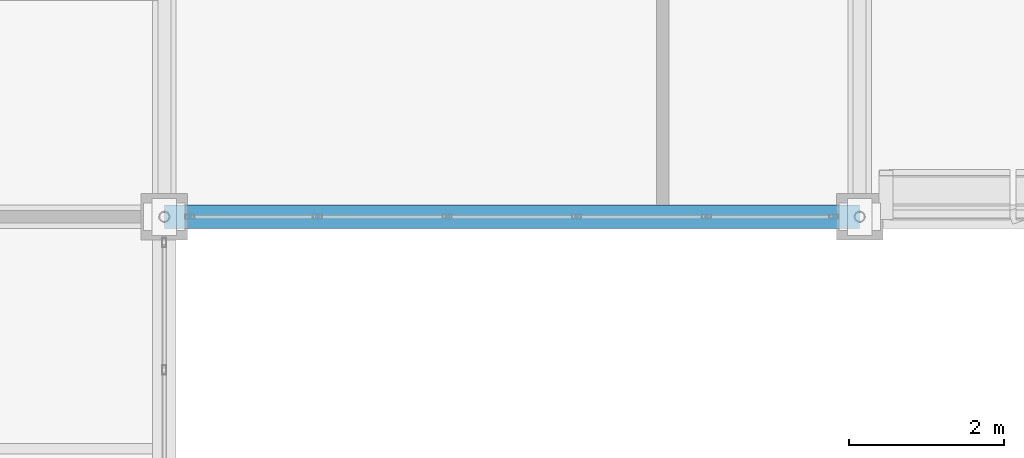
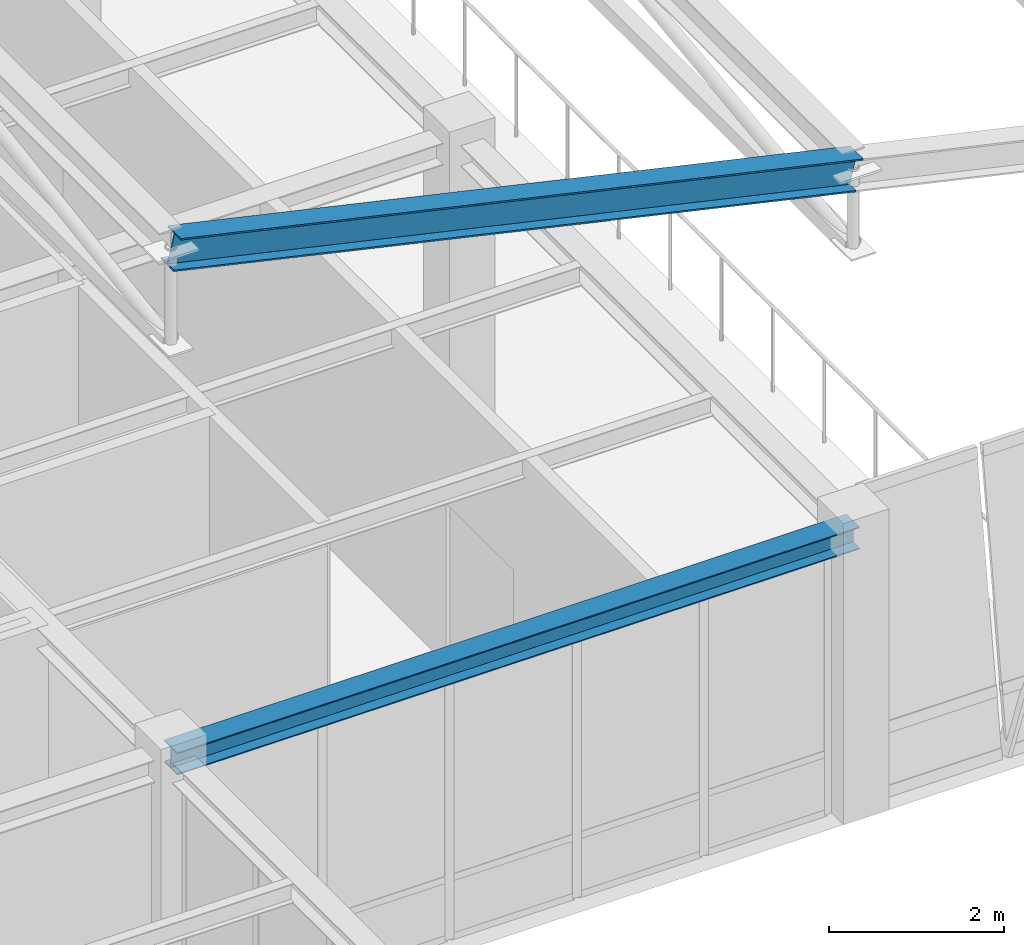
# One storey, part 38 of 130: 1 beam, 1 member.
"""IFC4 building model written with IfcOpenShell, lengths in metres."""

from ifc_helpers import new_model, si_unit, direction, frame, origin, origin_2d, place, context, subcontext, project, spatial, i_section, extrude, material, material_profile, profile_set, type_object, element, save


model = new_model("IFC4")

# Units and contexts
model_context = context("Model", 3, precision=1e-05, world=origin(), true_north=direction((0.0, 1.0)))
body_context = subcontext(model_context, "Body", "Model", "MODEL_VIEW")
ifc_project = project(units=[si_unit("LENGTHUNIT", "METRE"), si_unit("AREAUNIT", "SQUARE_METRE"), si_unit("VOLUMEUNIT", "CUBIC_METRE"), si_unit("PLANEANGLEUNIT", "RADIAN"), si_unit("MASSUNIT", "GRAM", prefix="KILO")], contexts=[model_context])

# Site, building, storey
site_placement = place(None, origin())
site = spatial("IfcSite", under=ifc_project, at=site_placement, CompositionType="ELEMENT")
building_placement = place(site_placement, origin())
building = spatial("IfcBuilding", under=site, at=building_placement, Name="Lykobir Media Centre", CompositionType="ELEMENT")
storey_placement = place(building_placement, frame((0.0, 0.0, 19.199951171875)))
storey = spatial("IfcBuildingStorey", under=building, at=storey_placement, Name="L04", CompositionType="ELEMENT", Elevation=19.199951171875)

# Beam
ifc_material = material(Name="Steel S355", Category="steel")
ifc_material_profile_1 = material_profile(ifc_material, i_section(OverallWidth=0.300048828125, OverallDepth=0.31005859375, WebThickness=0.009033203125, FlangeThickness=0.015380859375, at=origin_2d()), Name="HEA 320")
ifc_profile_set_1 = profile_set([ifc_material_profile_1], Name="Steel S355")
beam_type = type_object("IfcBeamType", Name="SP-HEA320", PredefinedType="SPANDREL", material=ifc_profile_set_1)
beam_placement = place(storey_placement, frame((36.0, 63.0, 3.804931640625), z_axis=(1.0, 0.0, 0.0), x_axis=(0.0, 1.0, 0.0)))
element("IfcBeam", 1, at=beam_placement, inside=storey, type_object=beam_type, Name="Beam BM-L04-0360-0630-0450-0630-2300", PredefinedType="SPANDREL", context=body_context, shape_type="SweptSolid", body=[
    extrude(i_section(OverallWidth=0.300048828125, OverallDepth=0.31005859375, WebThickness=0.009033203125, FlangeThickness=0.015380859375, at=origin_2d()), origin(), (0.0, 0.0, 1.0), 9.0),
])

# Member
ifc_material_profile_2 = material_profile(ifc_material, i_section(OverallWidth=0.300048828125, OverallDepth=0.43994140625, WebThickness=0.011474609375, FlangeThickness=0.02099609375, at=origin_2d()), Name="HEA 450")
ifc_profile_set_2 = profile_set([ifc_material_profile_2], Name="Steel S355")
member_type = type_object("IfcMemberType", Name="TC-HEA450", PredefinedType="CHORD", material=ifc_profile_set_2)
member_placement = place(storey_placement, frame((36.0, 63.0, 10.900146484375), z_axis=(0.975259516727, 0.0, -0.221063056689), x_axis=(0.0, 1.0, 0.0)))
element("IfcMember", 2, at=member_placement, inside=storey, type_object=member_type, Name="Truss chord MEM2-L04-0360-0630-0301-0450-0630-0421", PredefinedType="CHORD", context=body_context, shape_type="SweptSolid", body=[
    extrude(i_section(OverallWidth=0.300048828125, OverallDepth=0.43994140625, WebThickness=0.011474609375, FlangeThickness=0.02099609375, at=origin_2d()), origin(), (0.0, 0.0, 1.0), 9.228271484375),
])

save(model, "model.ifc")
